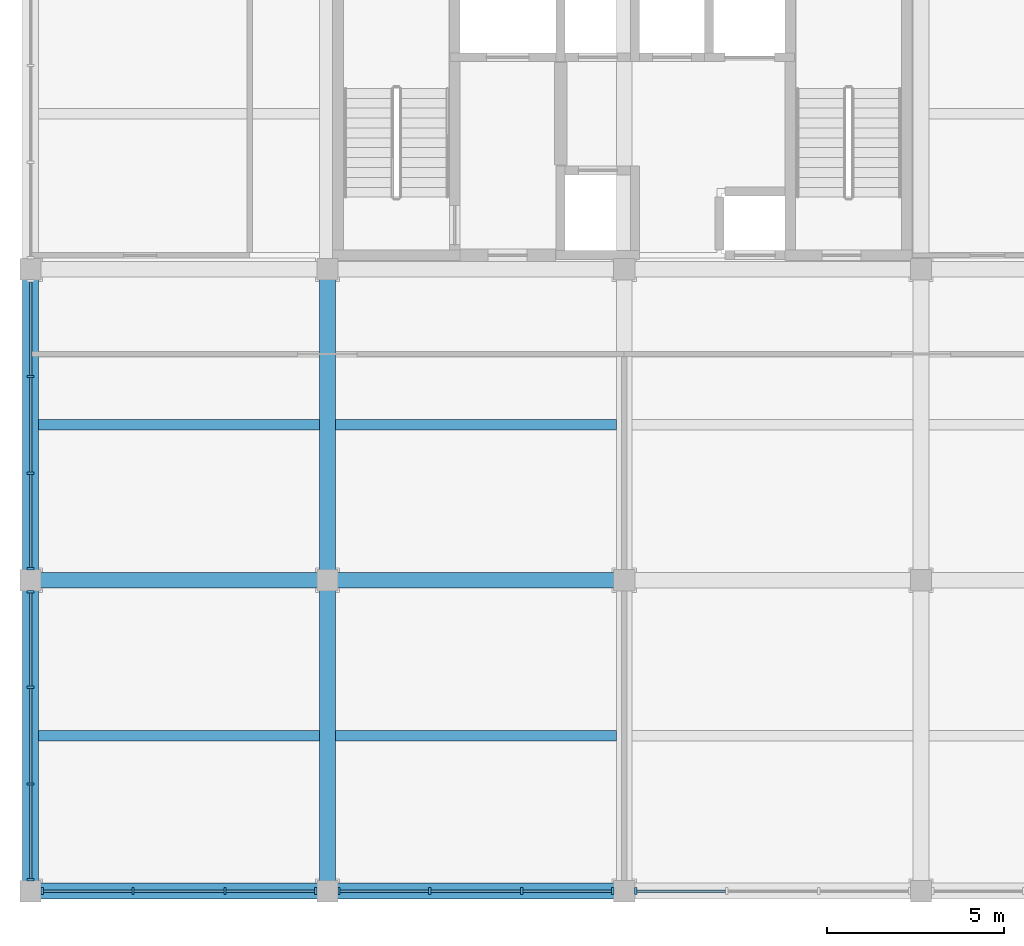
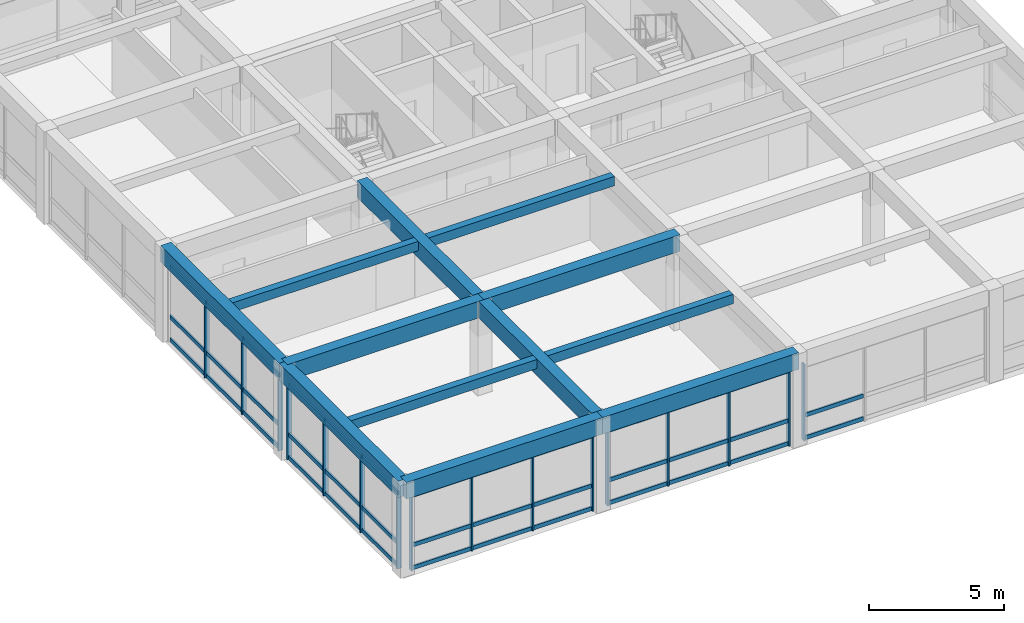
# One storey, part 2 of 14: 54 members, 12 beams, 5 elements without a shape of their own.
"""IFC4 building model written with IfcOpenShell, lengths in metres."""

from ifc_helpers import new_model, si_unit, direction, frame, origin, origin_2d, place, context, subcontext, project, spatial, rectangle, extrude, material, material_profile, profile_set, type_object, element, aggregate, save


model = new_model("IFC4")

# Units and contexts
model_context = context("Model", 3, precision=1e-05, world=origin(), true_north=direction((0.0, 1.0)))
body_context = subcontext(model_context, "Body", "Model", "MODEL_VIEW")
ifc_project = project(units=[si_unit("LENGTHUNIT", "METRE"), si_unit("AREAUNIT", "SQUARE_METRE"), si_unit("VOLUMEUNIT", "CUBIC_METRE"), si_unit("PLANEANGLEUNIT", "RADIAN"), si_unit("MASSUNIT", "GRAM", prefix="KILO")], contexts=[model_context])

# Site, building, storey
site_placement = place(None, origin())
site = spatial("IfcSite", under=ifc_project, at=site_placement, CompositionType="ELEMENT")
building_placement = place(site_placement, origin())
building = spatial("IfcBuilding", under=site, at=building_placement, Name="Kemercrest Conservatory and Botanical Centre", CompositionType="ELEMENT")
storey_placement = place(building_placement, frame((0.0, 0.0, 63.800048828125)))
storey = spatial("IfcBuildingStorey", under=building, at=storey_placement, Name="L16", CompositionType="ELEMENT", Elevation=63.800048828125)

# Beams
ifc_material_1 = material(Name="Concrete C40/50", Category="concrete")
ifc_material_profile_1 = material_profile(ifc_material_1, rectangle(XDim=0.449951171875, YDim=0.75, at=origin_2d()), Name="RC 450x750")
ifc_profile_set_1 = profile_set([ifc_material_profile_1], Name="Concrete C40/50")
beam_type_1 = type_object("IfcBeamType", Name="BM-RC75", PredefinedType="BEAM", material=ifc_profile_set_1)
beam_1_placement = place(storey_placement, frame((142.39990234375, 96.0, 3.824951171875), z_axis=(1.0, 0.0, 0.0), x_axis=(0.0, 1.0, 0.0)))
element("IfcBeam", 1, at=beam_1_placement, inside=storey, type_object=beam_type_1, Name="V4-RF beam BM-RC75 L/17-18", PredefinedType="BEAM", context=body_context, shape_type="SweptSolid", body=[
    extrude(rectangle(XDim=0.449951171875, YDim=0.75, at=origin_2d()), origin(), (0.0, 0.0, 1.0), 8.400146484375),
])
beam_2_placement = place(storey_placement, frame((150.800048828125, 96.0, 3.824951171875), z_axis=(1.0, 0.0, 0.0), x_axis=(0.0, 1.0, 0.0)))
element("IfcBeam", 2, at=beam_2_placement, inside=storey, type_object=beam_type_1, Name="V4-RF beam BM-RC75 L/18-19", PredefinedType="BEAM", context=body_context, shape_type="SweptSolid", body=[
    extrude(rectangle(XDim=0.449951171875, YDim=0.75, at=origin_2d()), origin(), (0.0, 0.0, 1.0), 8.39990234375),
])
for number, where, z_axis, x_axis, name in (
    (3, (150.800048828125, 87.199951171875, 3.824951171875), (0.0, 1.0, 0.0), (-1.0, 0.0, 0.0), "V4-RF beam BM-RC75 18/K-L"),
    (4, (150.800048828125, 96.0, 3.824951171875), (0.0, 1.0, 0.0), (-1.0, 0.0, 0.0), "V4-RF beam BM-RC75 18/L-M"),
):
    element("IfcBeam", number, at=place(storey_placement, frame(where, z_axis=z_axis, x_axis=x_axis)), inside=storey, type_object=beam_type_1, Name=name, PredefinedType="BEAM", context=body_context, shape_type="SweptSolid", body=[
        extrude(rectangle(XDim=0.449951171875, YDim=0.75, at=origin_2d()), origin(), (0.0, 0.0, 1.0), 8.800048828125),
    ])

# Curtain wall, members
ifc_material_2 = material(Name="Thermally broken aluminium and triple low-e glazing", Category="aluminium")
curtain_wall_type_1 = type_object("IfcCurtainWallType", Name="CW-12", PredefinedType="USERDEFINED", material=ifc_material_2)
curtain_wall_1_placement = place(storey_placement, origin())
curtain_wall_1 = element("IfcCurtainWall", 5, at=curtain_wall_1_placement, inside=storey, type_object=curtain_wall_type_1, Name="Unitised curtain wall CW-12 (CW:L16:V4-161)", ObjectType="UNITISED CURTAIN WALL", PredefinedType="USERDEFINED")
ifc_material_3 = material(Name="Thermally broken anodized aluminium 6063-T6", Category="aluminium")
ifc_material_profile_2 = material_profile(ifc_material_3, rectangle(XDim=0.199951171875, YDim=0.06494140625, at=origin_2d()), Name="AL MULLION 65x200")
ifc_profile_set_2 = profile_set([ifc_material_profile_2], Name="Thermally broken anodized aluminium 6063-T6")
member_type_1 = type_object("IfcMemberType", Name="CW-M200", PredefinedType="MULLION", material=ifc_profile_set_2)
member_1_placement = place(storey_placement, frame((142.7275390625, 87.199951171875, 0.0), z_axis=(0.0, 0.0, 1.0), x_axis=(0.0, 1.0, 0.0)))
member_1 = element("IfcMember", 6, at=member_1_placement, type_object=member_type_1, Name="CW-12 mullion 1", PredefinedType="MULLION", context=body_context, shape_type="SweptSolid", body=[
    extrude(rectangle(XDim=0.199951171875, YDim=0.06494140625, at=origin_2d()), origin(), (0.0, 0.0, 1.0), 3.454833984375),
])
member_2_placement = place(storey_placement, frame((145.29833984375, 87.199951171875, 0.0), z_axis=(0.0, 0.0, 1.0), x_axis=(0.0, 1.0, 0.0)))
member_2 = element("IfcMember", 7, at=member_2_placement, type_object=member_type_1, Name="CW-12 mullion 2", PredefinedType="MULLION", context=body_context, shape_type="SweptSolid", body=[
    extrude(rectangle(XDim=0.199951171875, YDim=0.06494140625, at=origin_2d()), origin(), (0.0, 0.0, 1.0), 3.454833984375),
])
member_3_placement = place(storey_placement, frame((147.901611328125, 87.199951171875, 0.0), z_axis=(0.0, 0.0, 1.0), x_axis=(0.0, 1.0, 0.0)))
member_3 = element("IfcMember", 8, at=member_3_placement, type_object=member_type_1, Name="CW-12 mullion 3", PredefinedType="MULLION", context=body_context, shape_type="SweptSolid", body=[
    extrude(rectangle(XDim=0.199951171875, YDim=0.06494140625, at=origin_2d()), origin(), (0.0, 0.0, 1.0), 3.454833984375),
])
member_4_placement = place(storey_placement, frame((150.472412109375, 87.199951171875, 0.0), z_axis=(0.0, 0.0, 1.0), x_axis=(0.0, 1.0, 0.0)))
member_4 = element("IfcMember", 9, at=member_4_placement, type_object=member_type_1, Name="CW-12 mullion 4", PredefinedType="MULLION", context=body_context, shape_type="SweptSolid", body=[
    extrude(rectangle(XDim=0.199951171875, YDim=0.06494140625, at=origin_2d()), origin(), (0.0, 0.0, 1.0), 3.454833984375),
])

curtain_wall_type_2 = type_object("IfcCurtainWallType", Name="CW-13", PredefinedType="USERDEFINED", material=ifc_material_2)
curtain_wall_2_placement = place(storey_placement, origin())
curtain_wall_2 = element("IfcCurtainWall", 10, at=curtain_wall_2_placement, inside=storey, type_object=curtain_wall_type_2, Name="Unitised curtain wall CW-13 (CW:L16:V4-162)", ObjectType="UNITISED CURTAIN WALL", PredefinedType="USERDEFINED")
member_5_placement = place(storey_placement, frame((151.12744140625, 87.199951171875, 0.0), z_axis=(0.0, 0.0, 1.0), x_axis=(0.0, 1.0, 0.0)))
member_5 = element("IfcMember", 11, at=member_5_placement, type_object=member_type_1, Name="CW-13 mullion 1", PredefinedType="MULLION", context=body_context, shape_type="SweptSolid", body=[
    extrude(rectangle(XDim=0.199951171875, YDim=0.06494140625, at=origin_2d()), origin(), (0.0, 0.0, 1.0), 3.454833984375),
])
member_6_placement = place(storey_placement, frame((153.6982421875, 87.199951171875, 0.0), z_axis=(0.0, 0.0, 1.0), x_axis=(0.0, 1.0, 0.0)))
member_6 = element("IfcMember", 12, at=member_6_placement, type_object=member_type_1, Name="CW-13 mullion 2", PredefinedType="MULLION", context=body_context, shape_type="SweptSolid", body=[
    extrude(rectangle(XDim=0.199951171875, YDim=0.06494140625, at=origin_2d()), origin(), (0.0, 0.0, 1.0), 3.454833984375),
])
member_7_placement = place(storey_placement, frame((156.3017578125, 87.199951171875, 0.0), z_axis=(0.0, 0.0, 1.0), x_axis=(0.0, 1.0, 0.0)))
member_7 = element("IfcMember", 13, at=member_7_placement, type_object=member_type_1, Name="CW-13 mullion 3", PredefinedType="MULLION", context=body_context, shape_type="SweptSolid", body=[
    extrude(rectangle(XDim=0.199951171875, YDim=0.06494140625, at=origin_2d()), origin(), (0.0, 0.0, 1.0), 3.454833984375),
])
member_8_placement = place(storey_placement, frame((158.87255859375, 87.199951171875, 0.0), z_axis=(0.0, 0.0, 1.0), x_axis=(0.0, 1.0, 0.0)))
member_8 = element("IfcMember", 14, at=member_8_placement, type_object=member_type_1, Name="CW-13 mullion 4", PredefinedType="MULLION", context=body_context, shape_type="SweptSolid", body=[
    extrude(rectangle(XDim=0.199951171875, YDim=0.06494140625, at=origin_2d()), origin(), (0.0, 0.0, 1.0), 3.454833984375),
])

# Curtain wall, member
curtain_wall_type_3 = type_object("IfcCurtainWallType", Name="CW-14", PredefinedType="USERDEFINED", material=ifc_material_2)
curtain_wall_3_placement = place(storey_placement, origin())
curtain_wall_3 = element("IfcCurtainWall", 15, at=curtain_wall_3_placement, inside=storey, type_object=curtain_wall_type_3, Name="Unitised curtain wall CW-14 (CW:L16:V4-163)", ObjectType="UNITISED CURTAIN WALL", PredefinedType="USERDEFINED")
member_9_placement = place(storey_placement, frame((159.527587890625, 87.199951171875, 0.0), z_axis=(0.0, 0.0, 1.0), x_axis=(0.0, 1.0, 0.0)))
member_9 = element("IfcMember", 16, at=member_9_placement, type_object=member_type_1, Name="CW-14 mullion 1", PredefinedType="MULLION", context=body_context, shape_type="SweptSolid", body=[
    extrude(rectangle(XDim=0.199951171875, YDim=0.06494140625, at=origin_2d()), origin(), (0.0, 0.0, 1.0), 3.454833984375),
])

# Curtain wall, members
curtain_wall_type_4 = type_object("IfcCurtainWallType", Name="CW-26", PredefinedType="USERDEFINED", material=ifc_material_2)
curtain_wall_4_placement = place(storey_placement, origin())
curtain_wall_4 = element("IfcCurtainWall", 17, at=curtain_wall_4_placement, inside=storey, type_object=curtain_wall_type_4, Name="Unitised curtain wall CW-26 (CW:L16:V4-175)", ObjectType="UNITISED CURTAIN WALL", PredefinedType="USERDEFINED")
member_10_placement = place(storey_placement, frame((142.39990234375, 101.768310546875, 0.0), z_axis=(0.0, 0.0, 1.0), x_axis=(1.0, 0.0, 0.0)))
member_10 = element("IfcMember", 18, at=member_10_placement, type_object=member_type_1, Name="CW-26 mullion 2", PredefinedType="MULLION", context=body_context, shape_type="SweptSolid", body=[
    extrude(rectangle(XDim=0.199951171875, YDim=0.06494140625, at=origin_2d()), origin(), (0.0, 0.0, 1.0), 3.454833984375),
])
member_11_placement = place(storey_placement, frame((142.39990234375, 99.03173828125, 0.0), z_axis=(0.0, 0.0, 1.0), x_axis=(1.0, 0.0, 0.0)))
member_11 = element("IfcMember", 19, at=member_11_placement, type_object=member_type_1, Name="CW-26 mullion 3", PredefinedType="MULLION", context=body_context, shape_type="SweptSolid", body=[
    extrude(rectangle(XDim=0.199951171875, YDim=0.06494140625, at=origin_2d()), origin(), (0.0, 0.0, 1.0), 3.454833984375),
])
member_12_placement = place(storey_placement, frame((142.39990234375, 96.327392578125, 0.0), z_axis=(0.0, 0.0, 1.0), x_axis=(1.0, 0.0, 0.0)))
member_12 = element("IfcMember", 20, at=member_12_placement, type_object=member_type_1, Name="CW-26 mullion 4", PredefinedType="MULLION", context=body_context, shape_type="SweptSolid", body=[
    extrude(rectangle(XDim=0.199951171875, YDim=0.06494140625, at=origin_2d()), origin(), (0.0, 0.0, 1.0), 3.454833984375),
])

curtain_wall_type_5 = type_object("IfcCurtainWallType", Name="CW-27", PredefinedType="USERDEFINED", material=ifc_material_2)
curtain_wall_5_placement = place(storey_placement, origin())
curtain_wall_5 = element("IfcCurtainWall", 21, at=curtain_wall_5_placement, inside=storey, type_object=curtain_wall_type_5, Name="Unitised curtain wall CW-27 (CW:L16:V4-176)", ObjectType="UNITISED CURTAIN WALL", PredefinedType="USERDEFINED")
member_13_placement = place(storey_placement, frame((142.39990234375, 95.672607421875, 0.0), z_axis=(0.0, 0.0, 1.0), x_axis=(1.0, 0.0, 0.0)))
member_13 = element("IfcMember", 22, at=member_13_placement, type_object=member_type_1, Name="CW-27 mullion 1", PredefinedType="MULLION", context=body_context, shape_type="SweptSolid", body=[
    extrude(rectangle(XDim=0.199951171875, YDim=0.06494140625, at=origin_2d()), origin(), (0.0, 0.0, 1.0), 3.454833984375),
])
member_14_placement = place(storey_placement, frame((142.39990234375, 92.96826171875, 0.0), z_axis=(0.0, 0.0, 1.0), x_axis=(1.0, 0.0, 0.0)))
member_14 = element("IfcMember", 23, at=member_14_placement, type_object=member_type_1, Name="CW-27 mullion 2", PredefinedType="MULLION", context=body_context, shape_type="SweptSolid", body=[
    extrude(rectangle(XDim=0.199951171875, YDim=0.06494140625, at=origin_2d()), origin(), (0.0, 0.0, 1.0), 3.454833984375),
])
member_15_placement = place(storey_placement, frame((142.39990234375, 90.231689453125, 0.0), z_axis=(0.0, 0.0, 1.0), x_axis=(1.0, 0.0, 0.0)))
member_15 = element("IfcMember", 24, at=member_15_placement, type_object=member_type_1, Name="CW-27 mullion 3", PredefinedType="MULLION", context=body_context, shape_type="SweptSolid", body=[
    extrude(rectangle(XDim=0.199951171875, YDim=0.06494140625, at=origin_2d()), origin(), (0.0, 0.0, 1.0), 3.454833984375),
])
member_16_placement = place(storey_placement, frame((142.39990234375, 87.527587890625, 0.0), z_axis=(0.0, 0.0, 1.0), x_axis=(1.0, 0.0, 0.0)))
member_16 = element("IfcMember", 25, at=member_16_placement, type_object=member_type_1, Name="CW-27 mullion 4", PredefinedType="MULLION", context=body_context, shape_type="SweptSolid", body=[
    extrude(rectangle(XDim=0.199951171875, YDim=0.06494140625, at=origin_2d()), origin(), (0.0, 0.0, 1.0), 3.454833984375),
])

# Member
ifc_material_profile_3 = material_profile(ifc_material_3, rectangle(XDim=0.074951171875, YDim=0.179931640625, at=origin_2d()), Name="AL TRANSOM 75x180")
ifc_profile_set_3 = profile_set([ifc_material_profile_3], Name="Thermally broken anodized aluminium 6063-T6")
member_type_2 = type_object("IfcMemberType", Name="CW-T180", PredefinedType="USERDEFINED", material=ifc_profile_set_3)
member_17_placement = place(storey_placement, frame((142.760009765625, 87.199951171875, 0.08984375), z_axis=(1.0, 0.0, 0.0), x_axis=(0.0, 1.0, 0.0)))
member_17 = element("IfcMember", 26, at=member_17_placement, type_object=member_type_2, Name="CW-12 transom 1.1", ObjectType="TRANSOM", PredefinedType="USERDEFINED", context=body_context, shape_type="SweptSolid", body=[
    extrude(rectangle(XDim=0.074951171875, YDim=0.179931640625, at=origin_2d()), origin(), (0.0, 0.0, 1.0), 2.505859375),
])

member_18_placement = place(storey_placement, frame((142.760009765625, 87.199951171875, 1.119873046875), z_axis=(1.0, 0.0, 0.0), x_axis=(0.0, 1.0, 0.0)))
member_18 = element("IfcMember", 27, at=member_18_placement, type_object=member_type_2, Name="CW-12 transom 1.2", ObjectType="TRANSOM", PredefinedType="USERDEFINED", context=body_context, shape_type="SweptSolid", body=[
    extrude(rectangle(XDim=0.074951171875, YDim=0.179931640625, at=origin_2d()), origin(), (0.0, 0.0, 1.0), 2.505859375),
])

member_19_placement = place(storey_placement, frame((142.760009765625, 87.199951171875, 3.364990234375), z_axis=(1.0, 0.0, 0.0), x_axis=(0.0, 1.0, 0.0)))
member_19 = element("IfcMember", 28, at=member_19_placement, type_object=member_type_2, Name="CW-12 transom 1.3", ObjectType="TRANSOM", PredefinedType="USERDEFINED", context=body_context, shape_type="SweptSolid", body=[
    extrude(rectangle(XDim=0.074951171875, YDim=0.179931640625, at=origin_2d()), origin(), (0.0, 0.0, 1.0), 2.505859375),
])

member_20_placement = place(storey_placement, frame((145.330810546875, 87.199951171875, 0.08984375), z_axis=(1.0, 0.0, 0.0), x_axis=(0.0, 1.0, 0.0)))
member_20 = element("IfcMember", 29, at=member_20_placement, type_object=member_type_2, Name="CW-12 transom 2.1", ObjectType="TRANSOM", PredefinedType="USERDEFINED", context=body_context, shape_type="SweptSolid", body=[
    extrude(rectangle(XDim=0.074951171875, YDim=0.179931640625, at=origin_2d()), origin(), (0.0, 0.0, 1.0), 2.538330078125),
])

member_21_placement = place(storey_placement, frame((145.330810546875, 87.199951171875, 1.119873046875), z_axis=(1.0, 0.0, 0.0), x_axis=(0.0, 1.0, 0.0)))
member_21 = element("IfcMember", 30, at=member_21_placement, type_object=member_type_2, Name="CW-12 transom 2.2", ObjectType="TRANSOM", PredefinedType="USERDEFINED", context=body_context, shape_type="SweptSolid", body=[
    extrude(rectangle(XDim=0.074951171875, YDim=0.179931640625, at=origin_2d()), origin(), (0.0, 0.0, 1.0), 2.538330078125),
])

member_22_placement = place(storey_placement, frame((145.330810546875, 87.199951171875, 3.364990234375), z_axis=(1.0, 0.0, 0.0), x_axis=(0.0, 1.0, 0.0)))
member_22 = element("IfcMember", 31, at=member_22_placement, type_object=member_type_2, Name="CW-12 transom 2.3", ObjectType="TRANSOM", PredefinedType="USERDEFINED", context=body_context, shape_type="SweptSolid", body=[
    extrude(rectangle(XDim=0.074951171875, YDim=0.179931640625, at=origin_2d()), origin(), (0.0, 0.0, 1.0), 2.538330078125),
])

member_23_placement = place(storey_placement, frame((147.93408203125, 87.199951171875, 0.08984375), z_axis=(1.0, 0.0, 0.0), x_axis=(0.0, 1.0, 0.0)))
member_23 = element("IfcMember", 32, at=member_23_placement, type_object=member_type_2, Name="CW-12 transom 3.1", ObjectType="TRANSOM", PredefinedType="USERDEFINED", context=body_context, shape_type="SweptSolid", body=[
    extrude(rectangle(XDim=0.074951171875, YDim=0.179931640625, at=origin_2d()), origin(), (0.0, 0.0, 1.0), 2.505859375),
])

member_24_placement = place(storey_placement, frame((147.93408203125, 87.199951171875, 1.119873046875), z_axis=(1.0, 0.0, 0.0), x_axis=(0.0, 1.0, 0.0)))
member_24 = element("IfcMember", 33, at=member_24_placement, type_object=member_type_2, Name="CW-12 transom 3.2", ObjectType="TRANSOM", PredefinedType="USERDEFINED", context=body_context, shape_type="SweptSolid", body=[
    extrude(rectangle(XDim=0.074951171875, YDim=0.179931640625, at=origin_2d()), origin(), (0.0, 0.0, 1.0), 2.505859375),
])

member_25_placement = place(storey_placement, frame((147.93408203125, 87.199951171875, 3.364990234375), z_axis=(1.0, 0.0, 0.0), x_axis=(0.0, 1.0, 0.0)))
member_25 = element("IfcMember", 34, at=member_25_placement, type_object=member_type_2, Name="CW-12 transom 3.3", ObjectType="TRANSOM", PredefinedType="USERDEFINED", context=body_context, shape_type="SweptSolid", body=[
    extrude(rectangle(XDim=0.074951171875, YDim=0.179931640625, at=origin_2d()), origin(), (0.0, 0.0, 1.0), 2.505859375),
])

aggregate(curtain_wall_1, [member_1, member_2, member_3, member_4, member_17, member_18, member_19, member_20, member_21, member_22, member_23, member_24, member_25])

member_26_placement = place(storey_placement, frame((151.159912109375, 87.199951171875, 0.08984375), z_axis=(1.0, 0.0, 0.0), x_axis=(0.0, 1.0, 0.0)))
member_26 = element("IfcMember", 35, at=member_26_placement, type_object=member_type_2, Name="CW-13 transom 1.1", ObjectType="TRANSOM", PredefinedType="USERDEFINED", context=body_context, shape_type="SweptSolid", body=[
    extrude(rectangle(XDim=0.074951171875, YDim=0.179931640625, at=origin_2d()), origin(), (0.0, 0.0, 1.0), 2.505859375),
])

member_27_placement = place(storey_placement, frame((151.159912109375, 87.199951171875, 1.119873046875), z_axis=(1.0, 0.0, 0.0), x_axis=(0.0, 1.0, 0.0)))
member_27 = element("IfcMember", 36, at=member_27_placement, type_object=member_type_2, Name="CW-13 transom 1.2", ObjectType="TRANSOM", PredefinedType="USERDEFINED", context=body_context, shape_type="SweptSolid", body=[
    extrude(rectangle(XDim=0.074951171875, YDim=0.179931640625, at=origin_2d()), origin(), (0.0, 0.0, 1.0), 2.505859375),
])

member_28_placement = place(storey_placement, frame((151.159912109375, 87.199951171875, 3.364990234375), z_axis=(1.0, 0.0, 0.0), x_axis=(0.0, 1.0, 0.0)))
member_28 = element("IfcMember", 37, at=member_28_placement, type_object=member_type_2, Name="CW-13 transom 1.3", ObjectType="TRANSOM", PredefinedType="USERDEFINED", context=body_context, shape_type="SweptSolid", body=[
    extrude(rectangle(XDim=0.074951171875, YDim=0.179931640625, at=origin_2d()), origin(), (0.0, 0.0, 1.0), 2.505859375),
])

member_29_placement = place(storey_placement, frame((153.730712890625, 87.199951171875, 0.08984375), z_axis=(1.0, 0.0, 0.0), x_axis=(0.0, 1.0, 0.0)))
member_29 = element("IfcMember", 38, at=member_29_placement, type_object=member_type_2, Name="CW-13 transom 2.1", ObjectType="TRANSOM", PredefinedType="USERDEFINED", context=body_context, shape_type="SweptSolid", body=[
    extrude(rectangle(XDim=0.074951171875, YDim=0.179931640625, at=origin_2d()), origin(), (0.0, 0.0, 1.0), 2.53857421875),
])

member_30_placement = place(storey_placement, frame((153.730712890625, 87.199951171875, 1.119873046875), z_axis=(1.0, 0.0, 0.0), x_axis=(0.0, 1.0, 0.0)))
member_30 = element("IfcMember", 39, at=member_30_placement, type_object=member_type_2, Name="CW-13 transom 2.2", ObjectType="TRANSOM", PredefinedType="USERDEFINED", context=body_context, shape_type="SweptSolid", body=[
    extrude(rectangle(XDim=0.074951171875, YDim=0.179931640625, at=origin_2d()), origin(), (0.0, 0.0, 1.0), 2.53857421875),
])

member_31_placement = place(storey_placement, frame((153.730712890625, 87.199951171875, 3.364990234375), z_axis=(1.0, 0.0, 0.0), x_axis=(0.0, 1.0, 0.0)))
member_31 = element("IfcMember", 40, at=member_31_placement, type_object=member_type_2, Name="CW-13 transom 2.3", ObjectType="TRANSOM", PredefinedType="USERDEFINED", context=body_context, shape_type="SweptSolid", body=[
    extrude(rectangle(XDim=0.074951171875, YDim=0.179931640625, at=origin_2d()), origin(), (0.0, 0.0, 1.0), 2.53857421875),
])

member_32_placement = place(storey_placement, frame((156.334228515625, 87.199951171875, 0.08984375), z_axis=(1.0, 0.0, 0.0), x_axis=(0.0, 1.0, 0.0)))
member_32 = element("IfcMember", 41, at=member_32_placement, type_object=member_type_2, Name="CW-13 transom 3.1", ObjectType="TRANSOM", PredefinedType="USERDEFINED", context=body_context, shape_type="SweptSolid", body=[
    extrude(rectangle(XDim=0.074951171875, YDim=0.179931640625, at=origin_2d()), origin(), (0.0, 0.0, 1.0), 2.505859375),
])

member_33_placement = place(storey_placement, frame((156.334228515625, 87.199951171875, 1.119873046875), z_axis=(1.0, 0.0, 0.0), x_axis=(0.0, 1.0, 0.0)))
member_33 = element("IfcMember", 42, at=member_33_placement, type_object=member_type_2, Name="CW-13 transom 3.2", ObjectType="TRANSOM", PredefinedType="USERDEFINED", context=body_context, shape_type="SweptSolid", body=[
    extrude(rectangle(XDim=0.074951171875, YDim=0.179931640625, at=origin_2d()), origin(), (0.0, 0.0, 1.0), 2.505859375),
])

member_34_placement = place(storey_placement, frame((156.334228515625, 87.199951171875, 3.364990234375), z_axis=(1.0, 0.0, 0.0), x_axis=(0.0, 1.0, 0.0)))
member_34 = element("IfcMember", 43, at=member_34_placement, type_object=member_type_2, Name="CW-13 transom 3.3", ObjectType="TRANSOM", PredefinedType="USERDEFINED", context=body_context, shape_type="SweptSolid", body=[
    extrude(rectangle(XDim=0.074951171875, YDim=0.179931640625, at=origin_2d()), origin(), (0.0, 0.0, 1.0), 2.505859375),
])

aggregate(curtain_wall_2, [member_5, member_6, member_7, member_8, member_26, member_27, member_28, member_29, member_30, member_31, member_32, member_33, member_34])

member_35_placement = place(storey_placement, frame((159.56005859375, 87.199951171875, 0.08984375), z_axis=(1.0, 0.0, 0.0), x_axis=(0.0, 1.0, 0.0)))
member_35 = element("IfcMember", 44, at=member_35_placement, type_object=member_type_2, Name="CW-14 transom 1.1", ObjectType="TRANSOM", PredefinedType="USERDEFINED", context=body_context, shape_type="SweptSolid", body=[
    extrude(rectangle(XDim=0.074951171875, YDim=0.179931640625, at=origin_2d()), origin(), (0.0, 0.0, 1.0), 2.505859375),
])

member_36_placement = place(storey_placement, frame((159.56005859375, 87.199951171875, 1.119873046875), z_axis=(1.0, 0.0, 0.0), x_axis=(0.0, 1.0, 0.0)))
member_36 = element("IfcMember", 45, at=member_36_placement, type_object=member_type_2, Name="CW-14 transom 1.2", ObjectType="TRANSOM", PredefinedType="USERDEFINED", context=body_context, shape_type="SweptSolid", body=[
    extrude(rectangle(XDim=0.074951171875, YDim=0.179931640625, at=origin_2d()), origin(), (0.0, 0.0, 1.0), 2.505859375),
])

aggregate(curtain_wall_3, [member_9, member_35, member_36])

member_37_placement = place(storey_placement, frame((142.39990234375, 104.43994140625, 0.08984375), z_axis=(0.0, -1.0, 0.0), x_axis=(1.0, 0.0, 0.0)))
member_37 = element("IfcMember", 46, at=member_37_placement, type_object=member_type_2, Name="CW-26 transom 1.1", ObjectType="TRANSOM", PredefinedType="USERDEFINED", context=body_context, shape_type="SweptSolid", body=[
    extrude(rectangle(XDim=0.074951171875, YDim=0.179931640625, at=origin_2d()), origin(), (0.0, 0.0, 1.0), 2.63916015625),
])

member_38_placement = place(storey_placement, frame((142.39990234375, 104.43994140625, 1.119873046875), z_axis=(0.0, -1.0, 0.0), x_axis=(1.0, 0.0, 0.0)))
member_38 = element("IfcMember", 47, at=member_38_placement, type_object=member_type_2, Name="CW-26 transom 1.2", ObjectType="TRANSOM", PredefinedType="USERDEFINED", context=body_context, shape_type="SweptSolid", body=[
    extrude(rectangle(XDim=0.074951171875, YDim=0.179931640625, at=origin_2d()), origin(), (0.0, 0.0, 1.0), 2.63916015625),
])

member_39_placement = place(storey_placement, frame((142.39990234375, 104.43994140625, 3.364990234375), z_axis=(0.0, -1.0, 0.0), x_axis=(1.0, 0.0, 0.0)))
member_39 = element("IfcMember", 48, at=member_39_placement, type_object=member_type_2, Name="CW-26 transom 1.3", ObjectType="TRANSOM", PredefinedType="USERDEFINED", context=body_context, shape_type="SweptSolid", body=[
    extrude(rectangle(XDim=0.074951171875, YDim=0.179931640625, at=origin_2d()), origin(), (0.0, 0.0, 1.0), 2.63916015625),
])

member_40_placement = place(storey_placement, frame((142.39990234375, 101.73583984375, 0.08984375), z_axis=(0.0, -1.0, 0.0), x_axis=(1.0, 0.0, 0.0)))
member_40 = element("IfcMember", 49, at=member_40_placement, type_object=member_type_2, Name="CW-26 transom 2.1", ObjectType="TRANSOM", PredefinedType="USERDEFINED", context=body_context, shape_type="SweptSolid", body=[
    extrude(rectangle(XDim=0.074951171875, YDim=0.179931640625, at=origin_2d()), origin(), (0.0, 0.0, 1.0), 2.671630859375),
])

member_41_placement = place(storey_placement, frame((142.39990234375, 101.73583984375, 1.119873046875), z_axis=(0.0, -1.0, 0.0), x_axis=(1.0, 0.0, 0.0)))
member_41 = element("IfcMember", 50, at=member_41_placement, type_object=member_type_2, Name="CW-26 transom 2.2", ObjectType="TRANSOM", PredefinedType="USERDEFINED", context=body_context, shape_type="SweptSolid", body=[
    extrude(rectangle(XDim=0.074951171875, YDim=0.179931640625, at=origin_2d()), origin(), (0.0, 0.0, 1.0), 2.671630859375),
])

member_42_placement = place(storey_placement, frame((142.39990234375, 101.73583984375, 3.364990234375), z_axis=(0.0, -1.0, 0.0), x_axis=(1.0, 0.0, 0.0)))
member_42 = element("IfcMember", 51, at=member_42_placement, type_object=member_type_2, Name="CW-26 transom 2.3", ObjectType="TRANSOM", PredefinedType="USERDEFINED", context=body_context, shape_type="SweptSolid", body=[
    extrude(rectangle(XDim=0.074951171875, YDim=0.179931640625, at=origin_2d()), origin(), (0.0, 0.0, 1.0), 2.671630859375),
])

member_43_placement = place(storey_placement, frame((142.39990234375, 98.999267578125, 0.08984375), z_axis=(0.0, -1.0, 0.0), x_axis=(1.0, 0.0, 0.0)))
member_43 = element("IfcMember", 52, at=member_43_placement, type_object=member_type_2, Name="CW-26 transom 3.1", ObjectType="TRANSOM", PredefinedType="USERDEFINED", context=body_context, shape_type="SweptSolid", body=[
    extrude(rectangle(XDim=0.074951171875, YDim=0.179931640625, at=origin_2d()), origin(), (0.0, 0.0, 1.0), 2.63916015625),
])

member_44_placement = place(storey_placement, frame((142.39990234375, 98.999267578125, 1.119873046875), z_axis=(0.0, -1.0, 0.0), x_axis=(1.0, 0.0, 0.0)))
member_44 = element("IfcMember", 53, at=member_44_placement, type_object=member_type_2, Name="CW-26 transom 3.2", ObjectType="TRANSOM", PredefinedType="USERDEFINED", context=body_context, shape_type="SweptSolid", body=[
    extrude(rectangle(XDim=0.074951171875, YDim=0.179931640625, at=origin_2d()), origin(), (0.0, 0.0, 1.0), 2.63916015625),
])

member_45_placement = place(storey_placement, frame((142.39990234375, 98.999267578125, 3.364990234375), z_axis=(0.0, -1.0, 0.0), x_axis=(1.0, 0.0, 0.0)))
member_45 = element("IfcMember", 54, at=member_45_placement, type_object=member_type_2, Name="CW-26 transom 3.3", ObjectType="TRANSOM", PredefinedType="USERDEFINED", context=body_context, shape_type="SweptSolid", body=[
    extrude(rectangle(XDim=0.074951171875, YDim=0.179931640625, at=origin_2d()), origin(), (0.0, 0.0, 1.0), 2.63916015625),
])

aggregate(curtain_wall_4, [member_10, member_11, member_12, member_37, member_38, member_39, member_40, member_41, member_42, member_43, member_44, member_45])

member_46_placement = place(storey_placement, frame((142.39990234375, 95.639892578125, 0.08984375), z_axis=(0.0, -1.0, 0.0), x_axis=(1.0, 0.0, 0.0)))
member_46 = element("IfcMember", 55, at=member_46_placement, type_object=member_type_2, Name="CW-27 transom 1.1", ObjectType="TRANSOM", PredefinedType="USERDEFINED", context=body_context, shape_type="SweptSolid", body=[
    extrude(rectangle(XDim=0.074951171875, YDim=0.179931640625, at=origin_2d()), origin(), (0.0, 0.0, 1.0), 2.63916015625),
])

member_47_placement = place(storey_placement, frame((142.39990234375, 95.639892578125, 1.119873046875), z_axis=(0.0, -1.0, 0.0), x_axis=(1.0, 0.0, 0.0)))
member_47 = element("IfcMember", 56, at=member_47_placement, type_object=member_type_2, Name="CW-27 transom 1.2", ObjectType="TRANSOM", PredefinedType="USERDEFINED", context=body_context, shape_type="SweptSolid", body=[
    extrude(rectangle(XDim=0.074951171875, YDim=0.179931640625, at=origin_2d()), origin(), (0.0, 0.0, 1.0), 2.63916015625),
])

member_48_placement = place(storey_placement, frame((142.39990234375, 95.639892578125, 3.364990234375), z_axis=(0.0, -1.0, 0.0), x_axis=(1.0, 0.0, 0.0)))
member_48 = element("IfcMember", 57, at=member_48_placement, type_object=member_type_2, Name="CW-27 transom 1.3", ObjectType="TRANSOM", PredefinedType="USERDEFINED", context=body_context, shape_type="SweptSolid", body=[
    extrude(rectangle(XDim=0.074951171875, YDim=0.179931640625, at=origin_2d()), origin(), (0.0, 0.0, 1.0), 2.63916015625),
])

member_49_placement = place(storey_placement, frame((142.39990234375, 92.935791015625, 0.08984375), z_axis=(0.0, -1.0, 0.0), x_axis=(1.0, 0.0, 0.0)))
member_49 = element("IfcMember", 58, at=member_49_placement, type_object=member_type_2, Name="CW-27 transom 2.1", ObjectType="TRANSOM", PredefinedType="USERDEFINED", context=body_context, shape_type="SweptSolid", body=[
    extrude(rectangle(XDim=0.074951171875, YDim=0.179931640625, at=origin_2d()), origin(), (0.0, 0.0, 1.0), 2.671630859375),
])

member_50_placement = place(storey_placement, frame((142.39990234375, 92.935791015625, 1.119873046875), z_axis=(0.0, -1.0, 0.0), x_axis=(1.0, 0.0, 0.0)))
member_50 = element("IfcMember", 59, at=member_50_placement, type_object=member_type_2, Name="CW-27 transom 2.2", ObjectType="TRANSOM", PredefinedType="USERDEFINED", context=body_context, shape_type="SweptSolid", body=[
    extrude(rectangle(XDim=0.074951171875, YDim=0.179931640625, at=origin_2d()), origin(), (0.0, 0.0, 1.0), 2.671630859375),
])

member_51_placement = place(storey_placement, frame((142.39990234375, 92.935791015625, 3.364990234375), z_axis=(0.0, -1.0, 0.0), x_axis=(1.0, 0.0, 0.0)))
member_51 = element("IfcMember", 60, at=member_51_placement, type_object=member_type_2, Name="CW-27 transom 2.3", ObjectType="TRANSOM", PredefinedType="USERDEFINED", context=body_context, shape_type="SweptSolid", body=[
    extrude(rectangle(XDim=0.074951171875, YDim=0.179931640625, at=origin_2d()), origin(), (0.0, 0.0, 1.0), 2.671630859375),
])

member_52_placement = place(storey_placement, frame((142.39990234375, 90.19921875, 0.08984375), z_axis=(0.0, -1.0, 0.0), x_axis=(1.0, 0.0, 0.0)))
member_52 = element("IfcMember", 61, at=member_52_placement, type_object=member_type_2, Name="CW-27 transom 3.1", ObjectType="TRANSOM", PredefinedType="USERDEFINED", context=body_context, shape_type="SweptSolid", body=[
    extrude(rectangle(XDim=0.074951171875, YDim=0.179931640625, at=origin_2d()), origin(), (0.0, 0.0, 1.0), 2.63916015625),
])

member_53_placement = place(storey_placement, frame((142.39990234375, 90.19921875, 1.119873046875), z_axis=(0.0, -1.0, 0.0), x_axis=(1.0, 0.0, 0.0)))
member_53 = element("IfcMember", 62, at=member_53_placement, type_object=member_type_2, Name="CW-27 transom 3.2", ObjectType="TRANSOM", PredefinedType="USERDEFINED", context=body_context, shape_type="SweptSolid", body=[
    extrude(rectangle(XDim=0.074951171875, YDim=0.179931640625, at=origin_2d()), origin(), (0.0, 0.0, 1.0), 2.63916015625),
])

member_54_placement = place(storey_placement, frame((142.39990234375, 90.19921875, 3.364990234375), z_axis=(0.0, -1.0, 0.0), x_axis=(1.0, 0.0, 0.0)))
member_54 = element("IfcMember", 63, at=member_54_placement, type_object=member_type_2, Name="CW-27 transom 3.3", ObjectType="TRANSOM", PredefinedType="USERDEFINED", context=body_context, shape_type="SweptSolid", body=[
    extrude(rectangle(XDim=0.074951171875, YDim=0.179931640625, at=origin_2d()), origin(), (0.0, 0.0, 1.0), 2.63916015625),
])

aggregate(curtain_wall_5, [member_13, member_14, member_15, member_16, member_46, member_47, member_48, member_49, member_50, member_51, member_52, member_53, member_54])

# Beams
ifc_material_profile_4 = material_profile(ifc_material_1, rectangle(XDim=0.300048828125, YDim=0.419921875, at=origin_2d()), Name="RC 300x420")
ifc_profile_set_4 = profile_set([ifc_material_profile_4], Name="Concrete C40/50")
beam_type_2 = type_object("IfcBeamType", Name="JS-RC42", PredefinedType="JOIST", material=ifc_profile_set_4)
beam_3_placement = place(storey_placement, frame((142.625, 91.60009765625, 3.989990234375), z_axis=(1.0, 0.0, 0.0), x_axis=(0.0, 1.0, 0.0)))
element("IfcBeam", 64, at=beam_3_placement, inside=storey, type_object=beam_type_2, Name="V4-RF secondary joist JS-RC42", PredefinedType="JOIST", context=body_context, shape_type="SweptSolid", body=[
    extrude(rectangle(XDim=0.300048828125, YDim=0.419921875, at=origin_2d()), origin(), (0.0, 0.0, 1.0), 7.949951171875),
])
beam_4_placement = place(storey_placement, frame((151.02490234375, 91.60009765625, 3.989990234375), z_axis=(1.0, 0.0, 0.0), x_axis=(0.0, 1.0, 0.0)))
element("IfcBeam", 65, at=beam_4_placement, inside=storey, type_object=beam_type_2, Name="V4-RF secondary joist JS-RC42", PredefinedType="JOIST", context=body_context, shape_type="SweptSolid", body=[
    extrude(rectangle(XDim=0.300048828125, YDim=0.419921875, at=origin_2d()), origin(), (0.0, 0.0, 1.0), 7.9501953125),
])
beam_5_placement = place(storey_placement, frame((142.625, 100.39990234375, 3.989990234375), z_axis=(1.0, 0.0, 0.0), x_axis=(0.0, 1.0, 0.0)))
element("IfcBeam", 66, at=beam_5_placement, inside=storey, type_object=beam_type_2, Name="V4-RF secondary joist JS-RC42", PredefinedType="JOIST", context=body_context, shape_type="SweptSolid", body=[
    extrude(rectangle(XDim=0.300048828125, YDim=0.419921875, at=origin_2d()), origin(), (0.0, 0.0, 1.0), 7.949951171875),
])
beam_6_placement = place(storey_placement, frame((151.02490234375, 100.39990234375, 3.989990234375), z_axis=(1.0, 0.0, 0.0), x_axis=(0.0, 1.0, 0.0)))
element("IfcBeam", 67, at=beam_6_placement, inside=storey, type_object=beam_type_2, Name="V4-RF secondary joist JS-RC42", PredefinedType="JOIST", context=body_context, shape_type="SweptSolid", body=[
    extrude(rectangle(XDim=0.300048828125, YDim=0.419921875, at=origin_2d()), origin(), (0.0, 0.0, 1.0), 7.9501953125),
])
ifc_material_profile_5 = material_profile(ifc_material_1, rectangle(XDim=0.449951171875, YDim=0.75, at=origin_2d()), Name="RC 450x750")
ifc_profile_set_5 = profile_set([ifc_material_profile_5], Name="Concrete C40/50")
beam_type_3 = type_object("IfcBeamType", Name="SP-RC75", PredefinedType="SPANDREL", material=ifc_profile_set_5)
beam_7_placement = place(storey_placement, frame((142.39990234375, 87.199951171875, 3.824951171875), z_axis=(1.0, 0.0, 0.0), x_axis=(0.0, 1.0, 0.0)))
element("IfcBeam", 68, at=beam_7_placement, inside=storey, type_object=beam_type_3, Name="V4-RF beam SP-RC75 K/17-18", PredefinedType="SPANDREL", context=body_context, shape_type="SweptSolid", body=[
    extrude(rectangle(XDim=0.449951171875, YDim=0.75, at=origin_2d()), origin(), (0.0, 0.0, 1.0), 8.400146484375),
])
beam_8_placement = place(storey_placement, frame((150.800048828125, 87.199951171875, 3.824951171875), z_axis=(1.0, 0.0, 0.0), x_axis=(0.0, 1.0, 0.0)))
element("IfcBeam", 69, at=beam_8_placement, inside=storey, type_object=beam_type_3, Name="V4-RF beam SP-RC75 K/18-19", PredefinedType="SPANDREL", context=body_context, shape_type="SweptSolid", body=[
    extrude(rectangle(XDim=0.449951171875, YDim=0.75, at=origin_2d()), origin(), (0.0, 0.0, 1.0), 8.39990234375),
])
for number, where, z_axis, x_axis, name in (
    (70, (142.39990234375, 87.199951171875, 3.824951171875), (0.0, 1.0, 0.0), (-1.0, 0.0, 0.0), "V4-RF beam SP-RC75 17/K-L"),
    (71, (142.39990234375, 96.0, 3.824951171875), (0.0, 1.0, 0.0), (-1.0, 0.0, 0.0), "V4-RF beam SP-RC75 17/L-M"),
):
    element("IfcBeam", number, at=place(storey_placement, frame(where, z_axis=z_axis, x_axis=x_axis)), inside=storey, type_object=beam_type_3, Name=name, PredefinedType="SPANDREL", context=body_context, shape_type="SweptSolid", body=[
        extrude(rectangle(XDim=0.449951171875, YDim=0.75, at=origin_2d()), origin(), (0.0, 0.0, 1.0), 8.800048828125),
    ])

save(model, "model.ifc")
